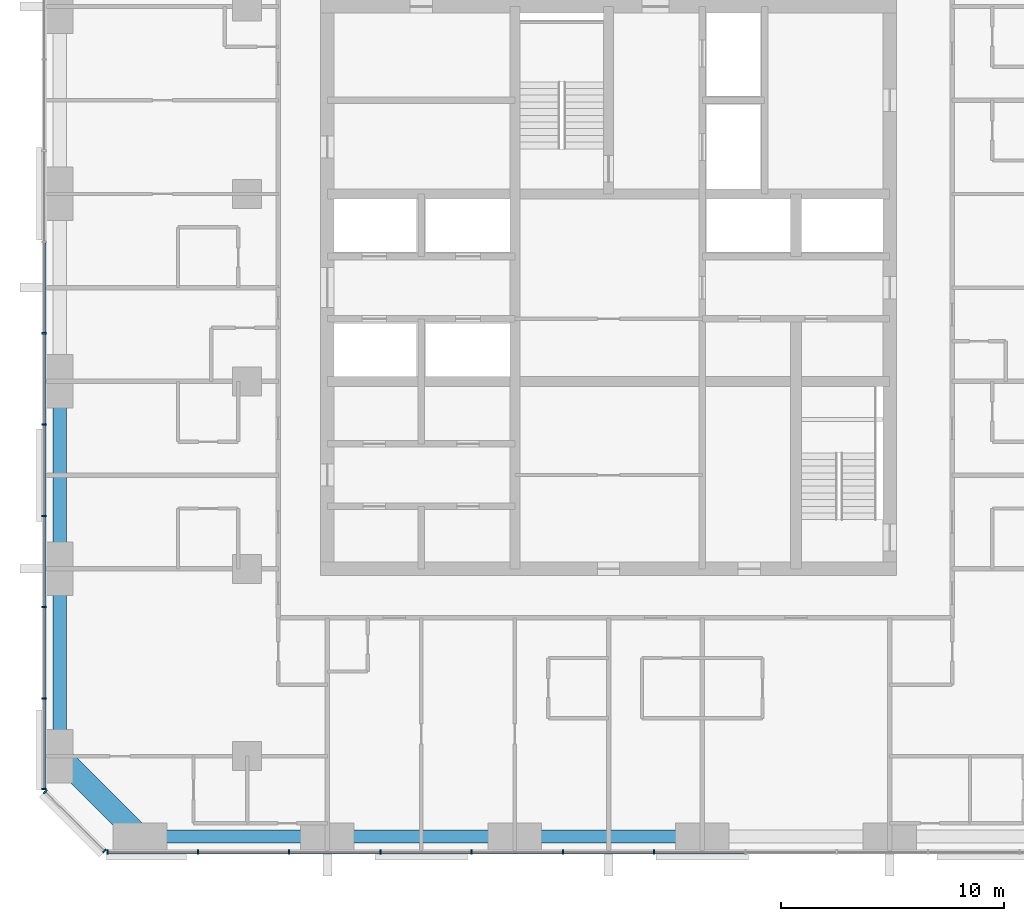
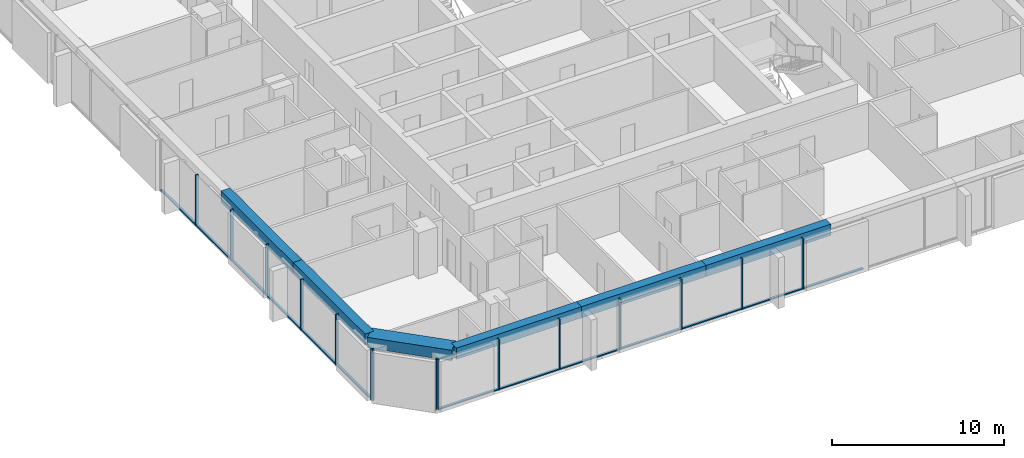
# One storey, part 2 of 13: 28 members, 6 beams, 3 elements without a shape of their own.
"""IFC4 building model written with IfcOpenShell, lengths in metres."""

from ifc_helpers import new_model, si_unit, direction, frame, origin, origin_2d, place, context, subcontext, project, spatial, rectangle, extrude, material, material_profile, profile_set, type_object, element, aggregate, save


model = new_model("IFC4")

# Units and contexts
model_context = context("Model", 3, precision=1e-05, world=origin(), true_north=direction((0.0, 1.0)))
body_context = subcontext(model_context, "Body", "Model", "MODEL_VIEW")
ifc_project = project(units=[si_unit("LENGTHUNIT", "METRE"), si_unit("AREAUNIT", "SQUARE_METRE"), si_unit("VOLUMEUNIT", "CUBIC_METRE"), si_unit("PLANEANGLEUNIT", "RADIAN"), si_unit("MASSUNIT", "GRAM", prefix="KILO")], contexts=[model_context])

# Site, building, storey
site_placement = place(None, origin())
site = spatial("IfcSite", under=ifc_project, at=site_placement, CompositionType="ELEMENT")
building_placement = place(site_placement, origin())
building = spatial("IfcBuilding", under=site, at=building_placement, Name="Dunama Terrace Hotel", CompositionType="ELEMENT")
storey_placement = place(building_placement, frame((0.0, 0.0, 209.39990234375)))
storey = spatial("IfcBuildingStorey", under=building, at=storey_placement, Name="L54", CompositionType="ELEMENT", Elevation=209.39990234375)

# Curtain wall, members
ifc_material_1 = material(Name="Aluminium curtain wall system", Category="aluminium")
curtain_wall_type = type_object("IfcCurtainWallType", Name="Unitised fritted glass wall CW-C", PredefinedType="NOTDEFINED", material=ifc_material_1)
curtain_wall_1_placement = place(storey_placement, origin())
curtain_wall_1 = element("IfcCurtainWall", 1, at=curtain_wall_1_placement, inside=storey, type_object=curtain_wall_type, Name="Unitised fritted glass wall CW-C L54", PredefinedType="NOTDEFINED")
ifc_material_2 = material(Name="Aluminium mullion", Category="aluminium")
ifc_material_profile_1 = material_profile(ifc_material_2, rectangle(XDim=0.070068359375, YDim=0.199951171875, at=origin_2d()), Name="CWC MULLION 70X200")
ifc_profile_set_1 = profile_set([ifc_material_profile_1], Name="Aluminium mullion")
member_type_1 = type_object("IfcMemberType", Name="CWC mullion 70x200", PredefinedType="MULLION", material=ifc_profile_set_1)
member_1_placement = place(storey_placement, frame((6.93505859375, 4.10009765625, 0.0), z_axis=(0.0, 0.0, 1.0), x_axis=(1.0, 0.0, 0.0)))
member_1 = element("IfcMember", 2, at=member_1_placement, type_object=member_type_1, Name="CWC mullion", PredefinedType="MULLION", context=body_context, shape_type="SweptSolid", body=[
    extrude(rectangle(XDim=0.070068359375, YDim=0.199951171875, at=origin_2d()), origin(), (0.0, 0.0, 1.0), 3.60009765625),
])
member_2_placement = place(storey_placement, frame((10.990966796875, 4.10009765625, 0.0), z_axis=(0.0, 0.0, 1.0), x_axis=(1.0, 0.0, 0.0)))
member_2 = element("IfcMember", 3, at=member_2_placement, type_object=member_type_1, Name="CWC mullion", PredefinedType="MULLION", context=body_context, shape_type="SweptSolid", body=[
    extrude(rectangle(XDim=0.070068359375, YDim=0.199951171875, at=origin_2d()), origin(), (0.0, 0.0, 1.0), 3.60009765625),
])
member_3_placement = place(storey_placement, frame((15.08203125, 4.10009765625, 0.0), z_axis=(0.0, 0.0, 1.0), x_axis=(1.0, 0.0, 0.0)))
member_3 = element("IfcMember", 4, at=member_3_placement, type_object=member_type_1, Name="CWC mullion", PredefinedType="MULLION", context=body_context, shape_type="SweptSolid", body=[
    extrude(rectangle(XDim=0.070068359375, YDim=0.199951171875, at=origin_2d()), origin(), (0.0, 0.0, 1.0), 3.60009765625),
])
member_4_placement = place(storey_placement, frame((19.173095703125, 4.10009765625, 0.0), z_axis=(0.0, 0.0, 1.0), x_axis=(1.0, 0.0, 0.0)))
member_4 = element("IfcMember", 5, at=member_4_placement, type_object=member_type_1, Name="CWC mullion", PredefinedType="MULLION", context=body_context, shape_type="SweptSolid", body=[
    extrude(rectangle(XDim=0.070068359375, YDim=0.199951171875, at=origin_2d()), origin(), (0.0, 0.0, 1.0), 3.60009765625),
])
member_5_placement = place(storey_placement, frame((23.263916015625, 4.10009765625, 0.0), z_axis=(0.0, 0.0, 1.0), x_axis=(1.0, 0.0, 0.0)))
member_5 = element("IfcMember", 6, at=member_5_placement, type_object=member_type_1, Name="CWC mullion", PredefinedType="MULLION", context=body_context, shape_type="SweptSolid", body=[
    extrude(rectangle(XDim=0.070068359375, YDim=0.199951171875, at=origin_2d()), origin(), (0.0, 0.0, 1.0), 3.60009765625),
])
member_6_placement = place(storey_placement, frame((27.35498046875, 4.10009765625, 0.0), z_axis=(0.0, 0.0, 1.0), x_axis=(1.0, 0.0, 0.0)))
member_6 = element("IfcMember", 7, at=member_6_placement, type_object=member_type_1, Name="CWC mullion", PredefinedType="MULLION", context=body_context, shape_type="SweptSolid", body=[
    extrude(rectangle(XDim=0.070068359375, YDim=0.199951171875, at=origin_2d()), origin(), (0.0, 0.0, 1.0), 3.60009765625),
])
member_7_placement = place(storey_placement, frame((31.445068359375, 4.10009765625, 0.0), z_axis=(0.0, 0.0, 1.0), x_axis=(1.0, 0.0, 0.0)))
member_7 = element("IfcMember", 8, at=member_7_placement, type_object=member_type_1, Name="CWC mullion", PredefinedType="MULLION", context=body_context, shape_type="SweptSolid", body=[
    extrude(rectangle(XDim=0.070068359375, YDim=0.199951171875, at=origin_2d()), origin(), (0.0, 0.0, 1.0), 3.60009765625),
])

curtain_wall_2_placement = place(storey_placement, origin())
curtain_wall_2 = element("IfcCurtainWall", 9, at=curtain_wall_2_placement, inside=storey, type_object=curtain_wall_type, Name="Unitised fritted glass wall CW-C L54", PredefinedType="NOTDEFINED")
member_8_placement = place(storey_placement, frame((4.10009765625, 27.35498046875, 0.0), z_axis=(0.0, 0.0, 1.0), x_axis=(0.0, -1.0, 0.0)))
member_8 = element("IfcMember", 10, at=member_8_placement, type_object=member_type_1, Name="CWC mullion", PredefinedType="MULLION", context=body_context, shape_type="SweptSolid", body=[
    extrude(rectangle(XDim=0.070068359375, YDim=0.199951171875, at=origin_2d()), origin(), (0.0, 0.0, 1.0), 3.60009765625),
])
member_9_placement = place(storey_placement, frame((4.10009765625, 23.263916015625, 0.0), z_axis=(0.0, 0.0, 1.0), x_axis=(0.0, -1.0, 0.0)))
member_9 = element("IfcMember", 11, at=member_9_placement, type_object=member_type_1, Name="CWC mullion", PredefinedType="MULLION", context=body_context, shape_type="SweptSolid", body=[
    extrude(rectangle(XDim=0.070068359375, YDim=0.199951171875, at=origin_2d()), origin(), (0.0, 0.0, 1.0), 3.60009765625),
])
member_10_placement = place(storey_placement, frame((4.10009765625, 19.173095703125, 0.0), z_axis=(0.0, 0.0, 1.0), x_axis=(0.0, -1.0, 0.0)))
member_10 = element("IfcMember", 12, at=member_10_placement, type_object=member_type_1, Name="CWC mullion", PredefinedType="MULLION", context=body_context, shape_type="SweptSolid", body=[
    extrude(rectangle(XDim=0.070068359375, YDim=0.199951171875, at=origin_2d()), origin(), (0.0, 0.0, 1.0), 3.60009765625),
])
member_11_placement = place(storey_placement, frame((4.10009765625, 15.08203125, 0.0), z_axis=(0.0, 0.0, 1.0), x_axis=(0.0, -1.0, 0.0)))
member_11 = element("IfcMember", 13, at=member_11_placement, type_object=member_type_1, Name="CWC mullion", PredefinedType="MULLION", context=body_context, shape_type="SweptSolid", body=[
    extrude(rectangle(XDim=0.070068359375, YDim=0.199951171875, at=origin_2d()), origin(), (0.0, 0.0, 1.0), 3.60009765625),
])
member_12_placement = place(storey_placement, frame((4.10009765625, 10.990966796875, 0.0), z_axis=(0.0, 0.0, 1.0), x_axis=(0.0, -1.0, 0.0)))
member_12 = element("IfcMember", 14, at=member_12_placement, type_object=member_type_1, Name="CWC mullion", PredefinedType="MULLION", context=body_context, shape_type="SweptSolid", body=[
    extrude(rectangle(XDim=0.070068359375, YDim=0.199951171875, at=origin_2d()), origin(), (0.0, 0.0, 1.0), 3.60009765625),
])
member_13_placement = place(storey_placement, frame((4.10009765625, 6.93505859375, 0.0), z_axis=(0.0, 0.0, 1.0), x_axis=(0.0, -1.0, 0.0)))
member_13 = element("IfcMember", 15, at=member_13_placement, type_object=member_type_1, Name="CWC mullion", PredefinedType="MULLION", context=body_context, shape_type="SweptSolid", body=[
    extrude(rectangle(XDim=0.070068359375, YDim=0.199951171875, at=origin_2d()), origin(), (0.0, 0.0, 1.0), 3.60009765625),
])

curtain_wall_3_placement = place(storey_placement, origin())
curtain_wall_3 = element("IfcCurtainWall", 16, at=curtain_wall_3_placement, inside=storey, type_object=curtain_wall_type, Name="Unitised fritted glass wall CW-C L54", PredefinedType="NOTDEFINED")
member_14_placement = place(storey_placement, frame((4.154052734375, 6.804931640625, 0.0), z_axis=(0.0, 0.0, 1.0), x_axis=(0.707106781187, -0.707106781187, 0.0)))
member_14 = element("IfcMember", 17, at=member_14_placement, type_object=member_type_1, Name="CWC mullion", PredefinedType="MULLION", context=body_context, shape_type="SweptSolid", body=[
    extrude(rectangle(XDim=0.070068359375, YDim=0.199951171875, at=origin_2d()), origin(), (0.0, 0.0, 1.0), 3.60009765625),
])
member_15_placement = place(storey_placement, frame((6.804931640625, 4.154052734375, 0.0), z_axis=(0.0, 0.0, 1.0), x_axis=(0.707106781187, -0.707106781187, 0.0)))
member_15 = element("IfcMember", 18, at=member_15_placement, type_object=member_type_1, Name="CWC mullion", PredefinedType="MULLION", context=body_context, shape_type="SweptSolid", body=[
    extrude(rectangle(XDim=0.070068359375, YDim=0.199951171875, at=origin_2d()), origin(), (0.0, 0.0, 1.0), 3.60009765625),
])
aggregate(curtain_wall_3, [member_14, member_15])

# Member
ifc_material_3 = material(Name="Aluminium transom", Category="aluminium")
ifc_material_profile_2 = material_profile(ifc_material_3, rectangle(XDim=0.159912109375, YDim=0.080078125, at=origin_2d()), Name="CWC TRANSOM 160X80")
ifc_profile_set_2 = profile_set([ifc_material_profile_2], Name="Aluminium transom")
member_type_2 = type_object("IfcMemberType", Name="CWC transom 160x80", PredefinedType="USERDEFINED", material=ifc_profile_set_2)
member_16_placement = place(storey_placement, frame((6.969970703125, 4.10009765625, 0.0400390625), z_axis=(1.0, 0.0, 0.0), x_axis=(0.0, 1.0, 0.0)))
member_16 = element("IfcMember", 19, at=member_16_placement, type_object=member_type_2, Name="CWC transom", ObjectType="TRANSOM", PredefinedType="USERDEFINED", context=body_context, shape_type="SweptSolid", body=[
    extrude(rectangle(XDim=0.159912109375, YDim=0.080078125, at=origin_2d()), origin(), (0.0, 0.0, 1.0), 3.986083984375),
])

member_17_placement = place(storey_placement, frame((11.02587890625, 4.10009765625, 0.0400390625), z_axis=(1.0, 0.0, 0.0), x_axis=(0.0, 1.0, 0.0)))
member_17 = element("IfcMember", 20, at=member_17_placement, type_object=member_type_2, Name="CWC transom", ObjectType="TRANSOM", PredefinedType="USERDEFINED", context=body_context, shape_type="SweptSolid", body=[
    extrude(rectangle(XDim=0.159912109375, YDim=0.080078125, at=origin_2d()), origin(), (0.0, 0.0, 1.0), 4.021240234375),
])

member_18_placement = place(storey_placement, frame((15.116943359375, 4.10009765625, 0.0400390625), z_axis=(1.0, 0.0, 0.0), x_axis=(0.0, 1.0, 0.0)))
member_18 = element("IfcMember", 21, at=member_18_placement, type_object=member_type_2, Name="CWC transom", ObjectType="TRANSOM", PredefinedType="USERDEFINED", context=body_context, shape_type="SweptSolid", body=[
    extrude(rectangle(XDim=0.159912109375, YDim=0.080078125, at=origin_2d()), origin(), (0.0, 0.0, 1.0), 4.02099609375),
])

member_19_placement = place(storey_placement, frame((19.2080078125, 4.10009765625, 0.0400390625), z_axis=(1.0, 0.0, 0.0), x_axis=(0.0, 1.0, 0.0)))
member_19 = element("IfcMember", 22, at=member_19_placement, type_object=member_type_2, Name="CWC transom", ObjectType="TRANSOM", PredefinedType="USERDEFINED", context=body_context, shape_type="SweptSolid", body=[
    extrude(rectangle(XDim=0.159912109375, YDim=0.080078125, at=origin_2d()), origin(), (0.0, 0.0, 1.0), 4.02099609375),
])

member_20_placement = place(storey_placement, frame((23.299072265625, 4.10009765625, 0.0400390625), z_axis=(1.0, 0.0, 0.0), x_axis=(0.0, 1.0, 0.0)))
member_20 = element("IfcMember", 23, at=member_20_placement, type_object=member_type_2, Name="CWC transom", ObjectType="TRANSOM", PredefinedType="USERDEFINED", context=body_context, shape_type="SweptSolid", body=[
    extrude(rectangle(XDim=0.159912109375, YDim=0.080078125, at=origin_2d()), origin(), (0.0, 0.0, 1.0), 4.02099609375),
])

member_21_placement = place(storey_placement, frame((27.389892578125, 4.10009765625, 0.0400390625), z_axis=(1.0, 0.0, 0.0), x_axis=(0.0, 1.0, 0.0)))
member_21 = element("IfcMember", 24, at=member_21_placement, type_object=member_type_2, Name="CWC transom", ObjectType="TRANSOM", PredefinedType="USERDEFINED", context=body_context, shape_type="SweptSolid", body=[
    extrude(rectangle(XDim=0.159912109375, YDim=0.080078125, at=origin_2d()), origin(), (0.0, 0.0, 1.0), 4.02001953125),
])

member_22_placement = place(storey_placement, frame((31.47998046875, 4.10009765625, 0.0400390625), z_axis=(1.0, 0.0, 0.0), x_axis=(0.0, 1.0, 0.0)))
member_22 = element("IfcMember", 25, at=member_22_placement, type_object=member_type_2, Name="CWC transom", ObjectType="TRANSOM", PredefinedType="USERDEFINED", context=body_context, shape_type="SweptSolid", body=[
    extrude(rectangle(XDim=0.159912109375, YDim=0.080078125, at=origin_2d()), origin(), (0.0, 0.0, 1.0), 4.02099609375),
])

aggregate(curtain_wall_1, [member_1, member_2, member_3, member_4, member_5, member_6, member_7, member_16, member_17, member_18, member_19, member_20, member_21, member_22])

member_23_placement = place(storey_placement, frame((4.10009765625, 31.409912109375, 0.0400390625), z_axis=(0.0, -1.0, 0.0), x_axis=(1.0, 0.0, 0.0)))
member_23 = element("IfcMember", 26, at=member_23_placement, type_object=member_type_2, Name="CWC transom", ObjectType="TRANSOM", PredefinedType="USERDEFINED", context=body_context, shape_type="SweptSolid", body=[
    extrude(rectangle(XDim=0.159912109375, YDim=0.080078125, at=origin_2d()), origin(), (0.0, 0.0, 1.0), 4.02001953125),
])

member_24_placement = place(storey_placement, frame((4.10009765625, 27.320068359375, 0.0400390625), z_axis=(0.0, -1.0, 0.0), x_axis=(1.0, 0.0, 0.0)))
member_24 = element("IfcMember", 27, at=member_24_placement, type_object=member_type_2, Name="CWC transom", ObjectType="TRANSOM", PredefinedType="USERDEFINED", context=body_context, shape_type="SweptSolid", body=[
    extrude(rectangle(XDim=0.159912109375, YDim=0.080078125, at=origin_2d()), origin(), (0.0, 0.0, 1.0), 4.02099609375),
])

member_25_placement = place(storey_placement, frame((4.10009765625, 23.22900390625, 0.0400390625), z_axis=(0.0, -1.0, 0.0), x_axis=(1.0, 0.0, 0.0)))
member_25 = element("IfcMember", 28, at=member_25_placement, type_object=member_type_2, Name="CWC transom", ObjectType="TRANSOM", PredefinedType="USERDEFINED", context=body_context, shape_type="SweptSolid", body=[
    extrude(rectangle(XDim=0.159912109375, YDim=0.080078125, at=origin_2d()), origin(), (0.0, 0.0, 1.0), 4.02099609375),
])

member_26_placement = place(storey_placement, frame((4.10009765625, 19.137939453125, 0.0400390625), z_axis=(0.0, -1.0, 0.0), x_axis=(1.0, 0.0, 0.0)))
member_26 = element("IfcMember", 29, at=member_26_placement, type_object=member_type_2, Name="CWC transom", ObjectType="TRANSOM", PredefinedType="USERDEFINED", context=body_context, shape_type="SweptSolid", body=[
    extrude(rectangle(XDim=0.159912109375, YDim=0.080078125, at=origin_2d()), origin(), (0.0, 0.0, 1.0), 4.02099609375),
])

member_27_placement = place(storey_placement, frame((4.10009765625, 15.047119140625, 0.0400390625), z_axis=(0.0, -1.0, 0.0), x_axis=(1.0, 0.0, 0.0)))
member_27 = element("IfcMember", 30, at=member_27_placement, type_object=member_type_2, Name="CWC transom", ObjectType="TRANSOM", PredefinedType="USERDEFINED", context=body_context, shape_type="SweptSolid", body=[
    extrude(rectangle(XDim=0.159912109375, YDim=0.080078125, at=origin_2d()), origin(), (0.0, 0.0, 1.0), 4.021240234375),
])

member_28_placement = place(storey_placement, frame((4.10009765625, 10.9560546875, 0.0400390625), z_axis=(0.0, -1.0, 0.0), x_axis=(1.0, 0.0, 0.0)))
member_28 = element("IfcMember", 31, at=member_28_placement, type_object=member_type_2, Name="CWC transom", ObjectType="TRANSOM", PredefinedType="USERDEFINED", context=body_context, shape_type="SweptSolid", body=[
    extrude(rectangle(XDim=0.159912109375, YDim=0.080078125, at=origin_2d()), origin(), (0.0, 0.0, 1.0), 3.986083984375),
])

aggregate(curtain_wall_2, [member_8, member_9, member_10, member_11, member_12, member_13, member_23, member_24, member_25, member_26, member_27, member_28])

# Beams
ifc_material_4 = material(Name="Concrete C50/60", Category="concrete")
ifc_material_profile_3 = material_profile(ifc_material_4, rectangle(XDim=1.0, YDim=0.75, at=origin_2d()), Name="RC 1000x750")
ifc_profile_set_3 = profile_set([ifc_material_profile_3], Name="Concrete C50/60")
beam_type_1 = type_object("IfcBeamType", Name="Edge beam RC 1000x750", PredefinedType="SPANDREL", material=ifc_profile_set_3)
beam_1_placement = place(storey_placement, frame((8.39990234375, 4.800048828125, 3.22509765625), z_axis=(-0.707106781187, 0.707106781187, 0.0), x_axis=(-0.707106781187, -0.707106781187, 0.0)))
element("IfcBeam", 32, at=beam_1_placement, inside=storey, type_object=beam_type_1, Name="Corner edge beam under L55", PredefinedType="SPANDREL", context=body_context, shape_type="SweptSolid", body=[
    extrude(rectangle(XDim=1.0, YDim=0.75, at=origin_2d()), origin(), (0.0, 0.0, 1.0), 5.091064453125),
])
ifc_material_5 = material(Name="Concrete C40/50", Category="concrete")
ifc_material_profile_4 = material_profile(ifc_material_5, rectangle(XDim=0.60009765625, YDim=0.800048828125, at=origin_2d()), Name="RC 600x800")
ifc_profile_set_4 = profile_set([ifc_material_profile_4], Name="Concrete C40/50")
beam_type_2 = type_object("IfcBeamType", Name="Edge beam RC 600x800", PredefinedType="SPANDREL", material=ifc_profile_set_4)
beam_2_placement = place(storey_placement, frame((4.800048828125, 8.39990234375, 3.2001953125), z_axis=(0.0, 1.0, 0.0), x_axis=(-1.0, 0.0, 0.0)))
element("IfcBeam", 33, at=beam_2_placement, inside=storey, type_object=beam_type_2, Name="Edge beam under L55", PredefinedType="SPANDREL", context=body_context, shape_type="SweptSolid", body=[
    extrude(rectangle(XDim=0.60009765625, YDim=0.800048828125, at=origin_2d()), origin(), (0.0, 0.0, 1.0), 8.400146484375),
])
beam_3_placement = place(storey_placement, frame((4.800048828125, 16.800048828125, 3.2001953125), z_axis=(0.0, 1.0, 0.0), x_axis=(-1.0, 0.0, 0.0)))
element("IfcBeam", 34, at=beam_3_placement, inside=storey, type_object=beam_type_2, Name="Edge beam under L55", PredefinedType="SPANDREL", context=body_context, shape_type="SweptSolid", body=[
    extrude(rectangle(XDim=0.60009765625, YDim=0.800048828125, at=origin_2d()), origin(), (0.0, 0.0, 1.0), 8.39990234375),
])
beam_4_placement = place(storey_placement, frame((8.39990234375, 4.800048828125, 3.2001953125), z_axis=(1.0, 0.0, 0.0), x_axis=(0.0, 1.0, 0.0)))
element("IfcBeam", 35, at=beam_4_placement, inside=storey, type_object=beam_type_2, Name="Edge beam under L55", PredefinedType="SPANDREL", context=body_context, shape_type="SweptSolid", body=[
    extrude(rectangle(XDim=0.60009765625, YDim=0.800048828125, at=origin_2d()), origin(), (0.0, 0.0, 1.0), 8.400146484375),
])
beam_5_placement = place(storey_placement, frame((16.800048828125, 4.800048828125, 3.2001953125), z_axis=(1.0, 0.0, 0.0), x_axis=(0.0, 1.0, 0.0)))
element("IfcBeam", 36, at=beam_5_placement, inside=storey, type_object=beam_type_2, Name="Edge beam under L55", PredefinedType="SPANDREL", context=body_context, shape_type="SweptSolid", body=[
    extrude(rectangle(XDim=0.60009765625, YDim=0.800048828125, at=origin_2d()), origin(), (0.0, 0.0, 1.0), 8.39990234375),
])
beam_6_placement = place(storey_placement, frame((25.199951171875, 4.800048828125, 3.2001953125), z_axis=(1.0, 0.0, 0.0), x_axis=(0.0, 1.0, 0.0)))
element("IfcBeam", 37, at=beam_6_placement, inside=storey, type_object=beam_type_2, Name="Edge beam under L55", PredefinedType="SPANDREL", context=body_context, shape_type="SweptSolid", body=[
    extrude(rectangle(XDim=0.60009765625, YDim=0.800048828125, at=origin_2d()), origin(), (0.0, 0.0, 1.0), 8.400146484375),
])

save(model, "model.ifc")
